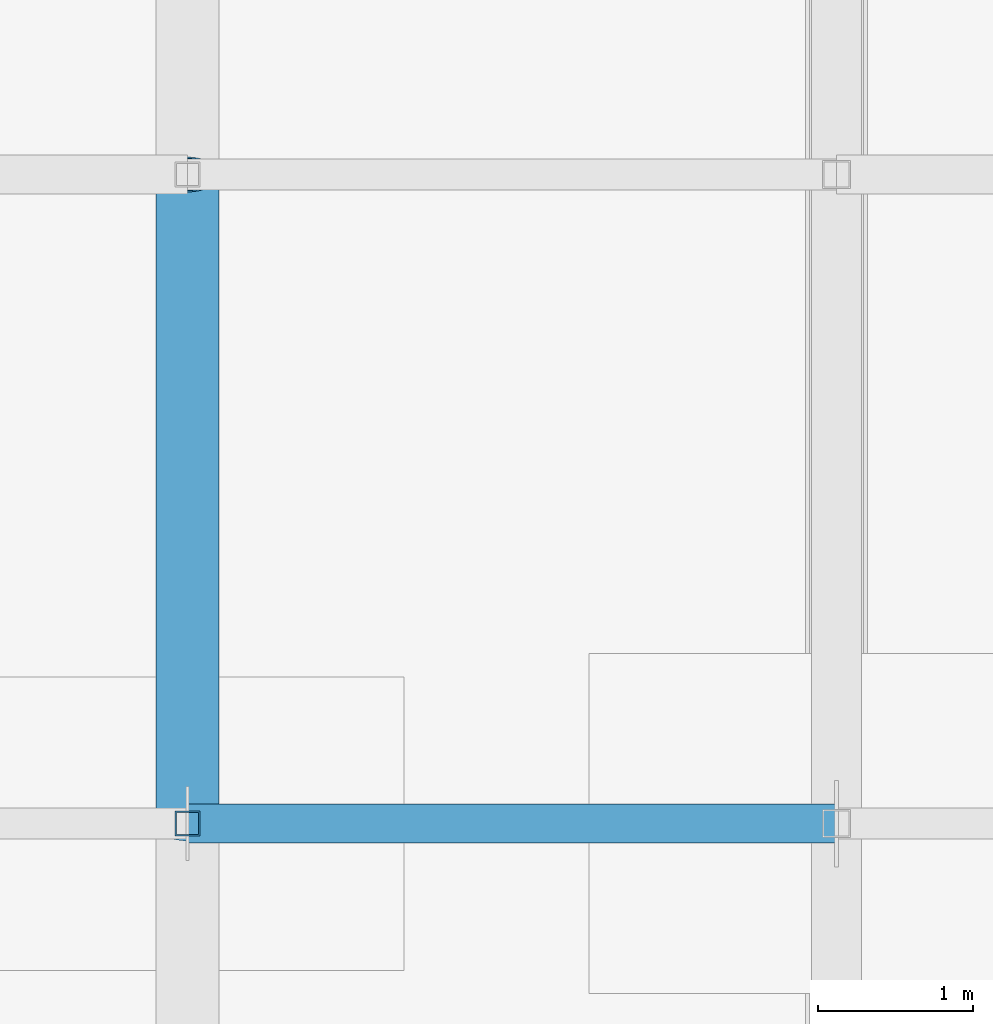
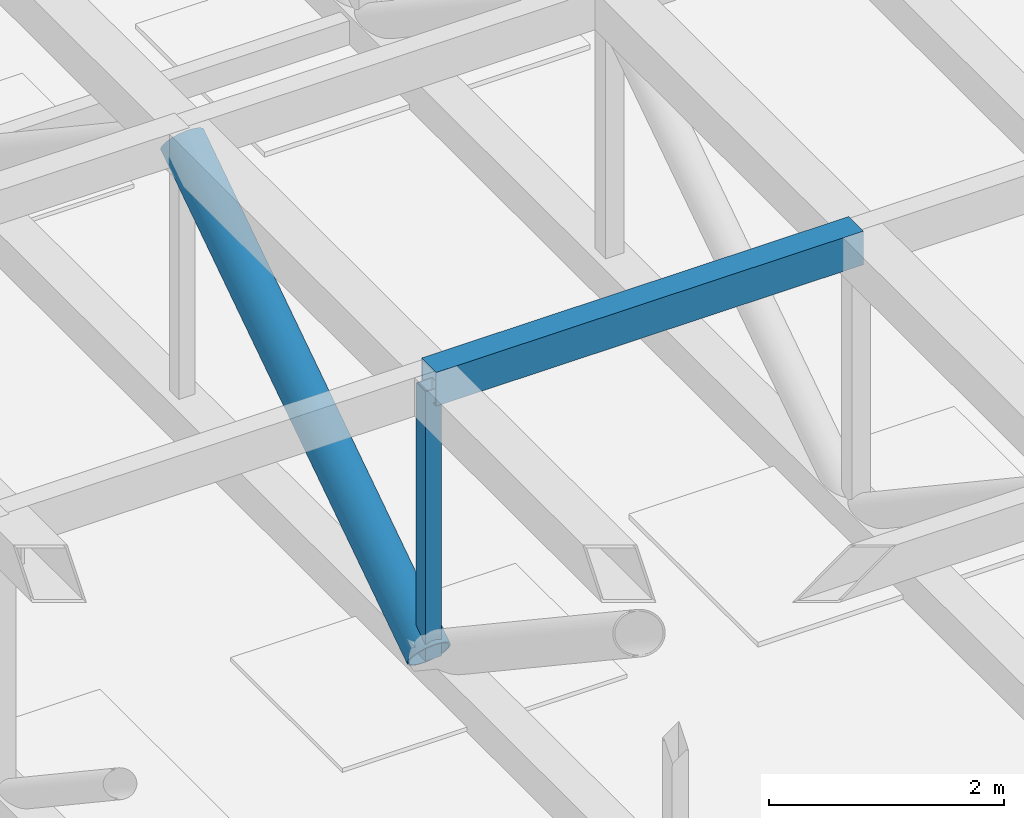
# One storey, part 18 of 47: 3 members.
"""IFC4 building model written with IfcOpenShell, lengths in metres."""

from ifc_helpers import new_model, si_unit, direction, frame, origin, origin_2d, place, context, subcontext, project, spatial, hollow_rectangle, hollow_circle, extrude, material, material_profile, profile_set, type_object, element, save


model = new_model("IFC4")

# Units and contexts
model_context = context("Model", 3, precision=1e-05, world=origin(), true_north=direction((0.0, 1.0)))
body_context = subcontext(model_context, "Body", "Model", "MODEL_VIEW")
ifc_project = project(units=[si_unit("LENGTHUNIT", "METRE"), si_unit("AREAUNIT", "SQUARE_METRE"), si_unit("VOLUMEUNIT", "CUBIC_METRE"), si_unit("PLANEANGLEUNIT", "RADIAN"), si_unit("MASSUNIT", "GRAM", prefix="KILO")], contexts=[model_context])

# Site, building, storey
site_placement = place(None, origin())
site = spatial("IfcSite", under=ifc_project, at=site_placement, CompositionType="ELEMENT")
building_placement = place(site_placement, origin())
building = spatial("IfcBuilding", under=site, at=building_placement, Name="Xuanlan Plaza Opera House", CompositionType="ELEMENT")
storey_placement = place(building_placement, frame((0.0, 0.0, 23.39990234375)))
storey = spatial("IfcBuildingStorey", under=building, at=storey_placement, Name="L05", CompositionType="ELEMENT", Elevation=23.39990234375)

# Members
ifc_material_1 = material(Name="Steel Q390B", Category="steel")
ifc_material_profile_1 = material_profile(ifc_material_1, hollow_circle(Radius=0.203125, WallThickness=0.01611328125, at=origin_2d()), Name="CHS 406.4x16")
ifc_profile_set_1 = profile_set([ifc_material_profile_1], Name="Steel Q390B")
member_type_1 = type_object("IfcMemberType", Name="STR-MEM-BR-01", PredefinedType="BRACE", material=ifc_profile_set_1)
member_1_placement = place(storey_placement, frame((79.800048828125, 58.800048828125, 1.259033203125), z_axis=(0.0, 0.832042853317, 0.554711357594), x_axis=(-1.0, 0.0, 0.0)))
element("IfcMember", 1, at=member_1_placement, inside=storey, type_object=member_type_1, Name="Auditorium Roof Truss AUD-03 Web Diagonal 5", PredefinedType="BRACE", context=body_context, shape_type="SweptSolid", body=[
    extrude(hollow_circle(Radius=0.203125, WallThickness=0.01611328125, at=origin_2d()), origin(), (0.0, 0.0, 1.0), 5.0478515625),
])
ifc_material_2 = material(Name="Steel Q355B", Category="steel")
ifc_material_profile_2 = material_profile(ifc_material_2, hollow_rectangle(XDim=0.25, YDim=0.35009765625, WallThickness=0.011962890625, at=origin_2d()), Name="RHS 350x250x12")
ifc_profile_set_2 = profile_set([ifc_material_profile_2], Name="Steel Q355B")
member_type_2 = type_object("IfcMemberType", Name="STR-MEM-PR-03", PredefinedType="PURLIN", material=ifc_profile_set_2)
member_2_placement = place(storey_placement, frame((79.800048828125, 58.800048828125, 4.083984375), z_axis=(1.0, 0.0, 0.0), x_axis=(0.0, 1.0, 0.0)))
element("IfcMember", 2, at=member_2_placement, inside=storey, type_object=member_type_2, Name="Auditorium Shell Roof Purlin 3-5", PredefinedType="PURLIN", context=body_context, shape_type="SweptSolid", body=[
    extrude(hollow_rectangle(XDim=0.25, YDim=0.35009765625, WallThickness=0.011962890625, at=origin_2d()), origin(), (0.0, 0.0, 1.0), 4.199951171875),
])
ifc_material_profile_3 = material_profile(ifc_material_2, hollow_rectangle(XDim=0.159912109375, YDim=0.159912109375, WallThickness=0.008056640625, at=origin_2d()), Name="SHS 160x160x8")
ifc_profile_set_3 = profile_set([ifc_material_profile_3], Name="Steel Q355B")
member_type_3 = type_object("IfcMemberType", Name="STR-MEM-ST-M3", PredefinedType="STRUT", material=ifc_profile_set_3)
member_3_placement = place(storey_placement, frame((79.800048828125, 58.800048828125, 1.259033203125), z_axis=(0.0, 0.0, 1.0), x_axis=(1.0, 0.0, 0.0)))
element("IfcMember", 3, at=member_3_placement, inside=storey, type_object=member_type_3, Name="Auditorium Roof Truss AUD-03 Vertical Strut 4", PredefinedType="STRUT", context=body_context, shape_type="SweptSolid", body=[
    extrude(hollow_rectangle(XDim=0.159912109375, YDim=0.159912109375, WallThickness=0.008056640625, at=origin_2d()), origin(), (0.0, 0.0, 1.0), 2.800048828125),
])

save(model, "model.ifc")
